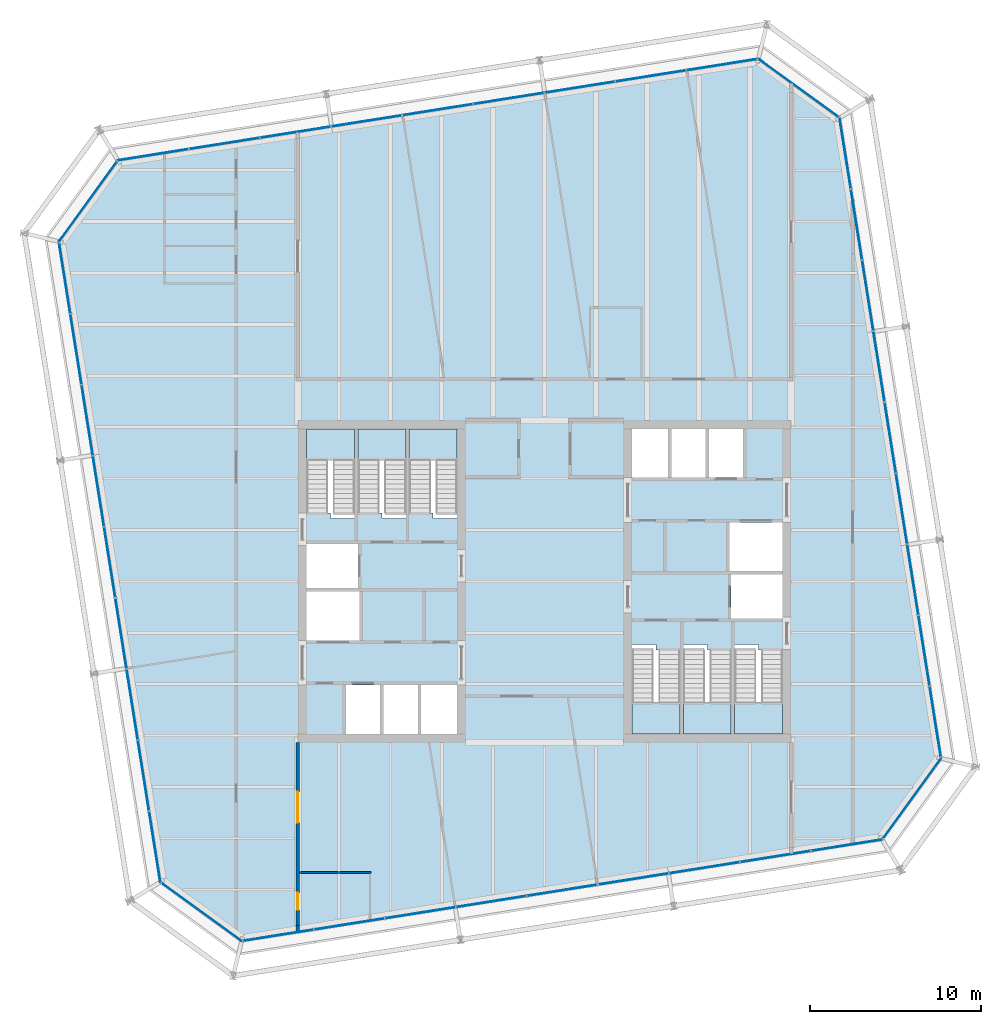
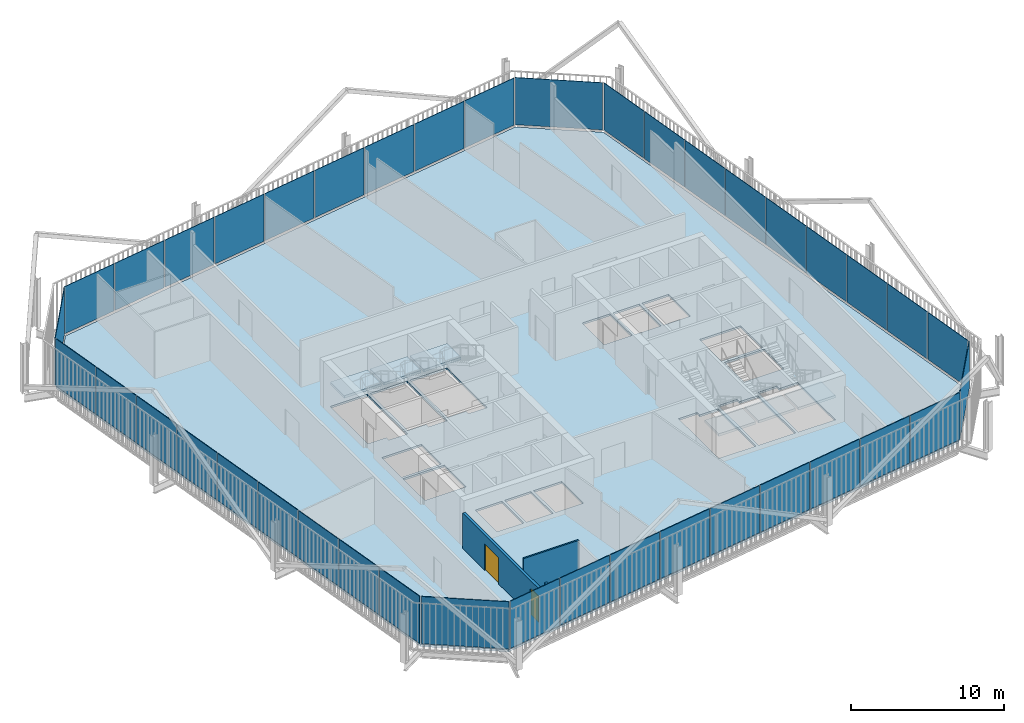
# One storey, part 16 of 21: 40 plates, 7 slabs, 3 walls, 2 doors, 2 openings, 14 elements without a shape of their own.
"""IFC4 building model written with IfcOpenShell, lengths in metres."""

import ifcopenshell
import ifcopenshell.guid

model = None  # the IFC model being written
_history = None  # IfcOwnerHistory: only IFC2X3 demands one
_inside = {}  # id of a spatial element -> (the spatial element, [elements in it])
_under = {}  # id of a project, library or spatial element -> (it, [spatial elements below it])
_declared = {}  # id of a project -> (the project, [libraries it declares])
_typed = {}  # id of a type object -> (the type object, [elements of that type])
_made_of = {}  # id of a material, layer set ... -> (it, [elements and type objects made of it])


def new_model(schema):
    """Start an empty IFC model of exactly this schema.

    Asked for "IFC4X3", IfcOpenShell would pick the latest addendum, in which some entities
    have other attributes; the version numbers below select the first issue.
    IFC2X3 requires an IfcOwnerHistory on every rooted entity: one is made here for all.
    """
    global model, _history
    if schema == "IFC4X3":
        model = ifcopenshell.file(schema_version=(4, 3, 0, 0))
    else:
        model = ifcopenshell.file(schema=schema)
    _inside.clear()
    _under.clear()
    _declared.clear()
    _typed.clear()
    _made_of.clear()
    _history = None
    if model.schema == "IFC2X3":
        org = make("IfcOrganization", Name="unknown")
        user = make(
            "IfcPersonAndOrganization",
            ThePerson=make("IfcPerson", FamilyName="unknown"),
            TheOrganization=org,
        )
        app = make(
            "IfcApplication",
            ApplicationDeveloper=org,
            Version="unknown",
            ApplicationFullName="unknown",
            ApplicationIdentifier="unknown",
        )
        _history = make(
            "IfcOwnerHistory",
            OwningUser=user,
            OwningApplication=app,
            ChangeAction="ADDED",
            CreationDate=0,
        )
    return model


def make(cls, **values):
    """One entity of the class cls with the attributes given. An attribute that is None is left unset."""
    return model.create_entity(
        cls, **{name: value for name, value in values.items() if value is not None}
    )


def rooted(cls, **values):
    """An entity with a GlobalId (a new one), such as an element, a storey or a relation."""
    return make(cls, GlobalId=ifcopenshell.guid.new(), OwnerHistory=_history, **values)


def si_unit(unit_type, name, prefix=None):
    """IfcSIUnit, for example si_unit("LENGTHUNIT", "METRE", prefix="MILLI")."""
    return make("IfcSIUnit", UnitType=unit_type, Prefix=prefix, Name=name)


def assignment(units):
    """IfcUnitAssignment: the units of a project."""
    return None if units is None else make("IfcUnitAssignment", Units=units)


def point(xyz):
    """IfcCartesianPoint."""
    return None if xyz is None else make("IfcCartesianPoint", Coordinates=xyz)


def direction(xyz):
    """IfcDirection."""
    return None if xyz is None else make("IfcDirection", DirectionRatios=xyz)


def frame(location, z_axis=None, x_axis=None):
    """IfcAxis2Placement3D, a coordinate frame: its origin and axes. An axis left out is left unset."""
    return make(
        "IfcAxis2Placement3D",
        Location=point(location),
        Axis=direction(z_axis),
        RefDirection=direction(x_axis),
    )


def frame_2d(location, x_axis=None):
    """IfcAxis2Placement2D, a coordinate frame in the plane: its origin and x axis."""
    return make(
        "IfcAxis2Placement2D", Location=point(location), RefDirection=direction(x_axis)
    )


def origin():
    """The frame at (0, 0, 0) with its axes left unset."""
    return frame((0.0, 0.0, 0.0))


def place(relative_to, where):
    """IfcLocalPlacement: puts the frame where relative to a parent placement (None: the world)."""
    return make(
        "IfcLocalPlacement", PlacementRelTo=relative_to, RelativePlacement=where
    )


def context(
    kind, dimensions, precision=None, world=None, true_north=None, identifier=None
):
    """IfcGeometricRepresentationContext, for example the 3D "Model" context."""
    return make(
        "IfcGeometricRepresentationContext",
        ContextIdentifier=identifier,
        ContextType=kind,
        CoordinateSpaceDimension=dimensions,
        Precision=precision,
        WorldCoordinateSystem=world,
        TrueNorth=true_north,
    )


def subcontext(parent, identifier, kind, view, scale=None):
    """IfcGeometricRepresentationSubContext, for example "Body" below "Model"."""
    return make(
        "IfcGeometricRepresentationSubContext",
        ContextIdentifier=identifier,
        ContextType=kind,
        ParentContext=parent,
        TargetScale=scale,
        TargetView=view,
    )


def project(units=None, contexts=None):
    """IfcProject with its units and contexts."""
    return rooted(
        "IfcProject",
        Name="project",
        RepresentationContexts=contexts,
        UnitsInContext=assignment(units),
    )


def spatial(cls, under=None, at=None, **own):
    """A site, building, storey or space (cls), placed at a placement, below another one or the project."""
    s = rooted(cls, ObjectPlacement=at, **own)
    if under is not None:
        _under.setdefault(under.id(), (under, []))[1].append(s)
    return s


def polyline(points):
    """IfcPolyline through the points."""
    return make("IfcPolyline", Points=[point(p) for p in points])


def profile(cls, at=None, kind="AREA", **sizes):
    """A parametric profile (cls). Its sizes go by their IFC names, for example OverallWidth=200.0."""
    return make(cls, ProfileType=kind, Position=at, **sizes)


def rectangle(**sizes):
    """IfcRectangleProfileDef."""
    return profile("IfcRectangleProfileDef", **sizes)


def outline(outer, holes=None, kind="AREA"):
    """IfcArbitraryClosedProfileDef: a profile drawn as a closed curve; with holes, ...WithVoids."""
    if holes is None:
        return make("IfcArbitraryClosedProfileDef", ProfileType=kind, OuterCurve=outer)
    return make(
        "IfcArbitraryProfileDefWithVoids",
        ProfileType=kind,
        OuterCurve=outer,
        InnerCurves=holes,
    )


def extrude(swept, where, along, depth):
    """IfcExtrudedAreaSolid: the profile swept, set in the frame where, extruded along a direction by depth."""
    return make(
        "IfcExtrudedAreaSolid",
        SweptArea=swept,
        Position=where,
        ExtrudedDirection=direction(along),
        Depth=depth,
    )


def shape(context_of_items, identifier, shape_type, items):
    """IfcShapeRepresentation: the items that make up one representation, for example the "Body"."""
    return make(
        "IfcShapeRepresentation",
        ContextOfItems=context_of_items,
        RepresentationIdentifier=identifier,
        RepresentationType=shape_type,
        Items=items,
    )


def material(Name=None, Category=None):
    """IfcMaterial."""
    return make("IfcMaterial", Name=Name, Category=Category)


def layer(
    of_material, thickness, ventilated=None, Name=None, Category=None, Priority=None
):
    """IfcMaterialLayer: one layer of a wall or slab, of a material (None: an air gap)."""
    return make(
        "IfcMaterialLayer",
        Material=of_material,
        LayerThickness=thickness,
        IsVentilated=ventilated,
        Name=Name,
        Category=Category,
        Priority=Priority,
    )


def layer_set(layers, Name=None):
    """IfcMaterialLayerSet."""
    return make("IfcMaterialLayerSet", MaterialLayers=layers, LayerSetName=Name)


def made_of(thing, what):
    """Note that an element or type object is made of a material, layer set ...; save() writes the relation."""
    if what is not None:
        _made_of.setdefault(what.id(), (what, []))[1].append(thing)
    return thing


def type_object(cls, material=None, **own):
    """A type object (cls), such as IfcWallType, which elements share."""
    return made_of(rooted(cls, **own), material)


def element(
    cls,
    number,
    at=None,
    inside=None,
    cuts=None,
    type_object=None,
    material=None,
    context=None,
    identifier="Body",
    shape_type=None,
    held_by="IfcProductDefinitionShape",
    body=None,
    shapes=None,
    **own,
):
    """One element of the class cls, such as IfcWall. Its Tag is "e" and its number.

    at: its placement. inside: the storey or other place that contains it. cuts: it is an
    opening in that element (IfcRelVoidsElement). A single representation is given by context,
    identifier, shape_type and body (its items); several are given by shapes. held_by: the class
    of the entity that holds the representations. save() writes the other relations.
    """
    e = rooted(cls, Tag="e%d" % number, ObjectPlacement=at, **own)
    if body is not None:
        shapes = [shape(context, identifier, shape_type, body)]
    if shapes is not None:
        e.Representation = make(held_by, Representations=shapes)
    if inside is not None:
        _inside.setdefault(inside.id(), (inside, []))[1].append(e)
    if cuts is not None:
        rooted(
            "IfcRelVoidsElement", RelatingBuildingElement=cuts, RelatedOpeningElement=e
        )
    if type_object is not None:
        _typed.setdefault(type_object.id(), (type_object, []))[1].append(e)
    return made_of(e, material)


def fill(opening, filler):
    """IfcRelFillsElement: the door or window that sits in an opening."""
    return rooted(
        "IfcRelFillsElement",
        RelatingOpeningElement=opening,
        RelatedBuildingElement=filler,
    )


def aggregate(whole, parts):
    """IfcRelAggregates: a whole, such as a stair, and the parts it consists of."""
    return rooted("IfcRelAggregates", RelatingObject=whole, RelatedObjects=parts)


def save(model, path):
    """Write the relations noted so far, then the file.

    IfcRelAggregates (storeys below a building ...), IfcRelContainedInSpatialStructure (elements
    in a storey), IfcRelDefinesByType, IfcRelAssociatesMaterial and IfcRelDeclares: one each for
    every whole, place, type object, material and project.
    """
    for whole, parts in _under.values():
        aggregate(whole, parts)
    for where, things in _inside.values():
        rooted(
            "IfcRelContainedInSpatialStructure",
            RelatedElements=things,
            RelatingStructure=where,
        )
    for kind, things in _typed.values():
        rooted("IfcRelDefinesByType", RelatedObjects=things, RelatingType=kind)
    for what, things in _made_of.values():
        rooted("IfcRelAssociatesMaterial", RelatedObjects=things, RelatingMaterial=what)
    for by, libraries in _declared.values():
        rooted("IfcRelDeclares", RelatingContext=by, RelatedDefinitions=libraries)
    model.write(path)


model = new_model("IFC4")

# Units and contexts
model_context = context("Model", 3, precision=1e-05, world=origin(), true_north=direction((0.0, 1.0)))
body_context = subcontext(model_context, "Body", "Model", "MODEL_VIEW")
ifc_project = project(units=[si_unit("LENGTHUNIT", "METRE"), si_unit("AREAUNIT", "SQUARE_METRE"), si_unit("VOLUMEUNIT", "CUBIC_METRE"), si_unit("PLANEANGLEUNIT", "RADIAN"), si_unit("MASSUNIT", "GRAM", prefix="KILO")], contexts=[model_context])

# Site, building, storey
site_placement = place(None, origin())
site = spatial("IfcSite", under=ifc_project, at=site_placement, CompositionType="ELEMENT")
building_placement = place(site_placement, origin())
building = spatial("IfcBuilding", under=site, at=building_placement, Name="Millrace Tower", CompositionType="ELEMENT")
storey_placement = place(building_placement, frame((0.0, 0.0, 247.39990234375)))
storey = spatial("IfcBuildingStorey", under=building, at=storey_placement, Name="L56", CompositionType="ELEMENT", Elevation=247.39990234375)

# Curtain wall, plate
ifc_material_1 = material(Name="Aluminium and glass", Category="aluminium")
ifc_layer_1 = layer(ifc_material_1, 0.14990234375)
ifc_layer_set_1 = layer_set([ifc_layer_1], Name="Aluminium and glass")
curtain_wall_type = type_object("IfcCurtainWallType", Name="CW-1 office vision curtain wall", PredefinedType="NOTDEFINED", material=ifc_layer_set_1)
placement_1 = place(storey_placement, origin())
curtain_wall_1 = element("IfcCurtainWall", 1, at=placement_1, inside=storey, type_object=curtain_wall_type, Name="Curtain wall D-F01 L56", PredefinedType="NOTDEFINED")
ifc_material_2 = material(Name="Glass", Category="glass")
ifc_layer_2 = layer(ifc_material_2, 0.0439453125)
ifc_layer_set_2 = layer_set([ifc_layer_2], Name="Glass")
plate_type = type_object("IfcPlateType", Name="CW-1 office vision curtain wall triple-glazed vision panel", PredefinedType="CURTAIN_PANEL", material=ifc_layer_set_2)
placement_2 = place(storey_placement, frame((0.0, 0.0, 0.14013671875)))
plate_1 = element("IfcPlate", 2, at=placement_2, type_object=plate_type, Name="CW1 panel D-F01.1", PredefinedType="CURTAIN_PANEL", context=body_context, shape_type="SweptSolid", body=[
    extrude(outline(polyline([(-22.36474609375, -17.632080078125), (-17.69384765625, -21.025634765625), (-17.6826171875, -20.979248046875), (-22.3388671875, -17.596435546875), (-22.36474609375, -17.632080078125)])), origin(), (0.0, 0.0, 1.0), 3.760009765625),
])
aggregate(curtain_wall_1, [plate_1])

# Curtain wall, plates
curtain_wall_2 = element("IfcCurtainWall", 3, at=placement_1, inside=storey, type_object=curtain_wall_type, Name="Curtain wall D-F02 L56", PredefinedType="NOTDEFINED")
plate_2 = element("IfcPlate", 4, at=placement_2, type_object=plate_type, Name="CW1 panel D-F02.1", PredefinedType="CURTAIN_PANEL", context=body_context, shape_type="SweptSolid", body=[
    extrude(outline(polyline([(-17.58984375, -21.009033203125), (-13.505859375, -20.3623046875), (-13.5126953125, -20.31884765625), (-17.596923828125, -20.965576171875), (-17.58984375, -21.009033203125)])), origin(), (0.0, 0.0, 1.0), 3.760009765625),
])
plate_3 = element("IfcPlate", 5, at=placement_2, type_object=plate_type, Name="CW1 panel D-F02.2", PredefinedType="CURTAIN_PANEL", context=body_context, shape_type="SweptSolid", body=[
    extrude(outline(polyline([(-13.441650390625, -20.35205078125), (-9.357666015625, -19.705078125), (-9.364501953125, -19.66162109375), (-13.448486328125, -20.30859375), (-13.441650390625, -20.35205078125)])), origin(), (0.0, 0.0, 1.0), 3.760009765625),
])
plate_4 = element("IfcPlate", 6, at=placement_2, type_object=plate_type, Name="CW1 panel D-F02.3", PredefinedType="CURTAIN_PANEL", context=body_context, shape_type="SweptSolid", body=[
    extrude(outline(polyline([(-9.29345703125, -19.695068359375), (-5.209228515625, -19.048095703125), (-5.216064453125, -19.004638671875), (-9.30029296875, -19.651611328125), (-9.29345703125, -19.695068359375)])), origin(), (0.0, 0.0, 1.0), 3.760009765625),
])
plate_5 = element("IfcPlate", 7, at=placement_2, type_object=plate_type, Name="CW1 panel D-F02.4", PredefinedType="CURTAIN_PANEL", context=body_context, shape_type="SweptSolid", body=[
    extrude(outline(polyline([(-5.14501953125, -19.0380859375), (-1.06103515625, -18.39111328125), (-1.06787109375, -18.34765625), (-5.15185546875, -18.99462890625), (-5.14501953125, -19.0380859375)])), origin(), (0.0, 0.0, 1.0), 3.760009765625),
])
plate_6 = element("IfcPlate", 8, at=placement_2, type_object=plate_type, Name="CW1 panel D-F02.5", PredefinedType="CURTAIN_PANEL", context=body_context, shape_type="SweptSolid", body=[
    extrude(outline(polyline([(-0.996826171875, -18.380859375), (3.08740234375, -17.734130859375), (3.080322265625, -17.690673828125), (-1.003662109375, -18.33740234375), (-0.996826171875, -18.380859375)])), origin(), (0.0, 0.0, 1.0), 3.760009765625),
])
plate_7 = element("IfcPlate", 9, at=placement_2, type_object=plate_type, Name="CW1 panel D-F02.6", PredefinedType="CURTAIN_PANEL", context=body_context, shape_type="SweptSolid", body=[
    extrude(outline(polyline([(3.151611328125, -17.723876953125), (7.235595703125, -17.0771484375), (7.228759765625, -17.03369140625), (3.14453125, -17.680419921875), (3.151611328125, -17.723876953125)])), origin(), (0.0, 0.0, 1.0), 3.760009765625),
])
plate_8 = element("IfcPlate", 10, at=placement_2, type_object=plate_type, Name="CW1 panel D-F02.7", PredefinedType="CURTAIN_PANEL", context=body_context, shape_type="SweptSolid", body=[
    extrude(outline(polyline([(7.2998046875, -17.06689453125), (11.3837890625, -16.420166015625), (11.376953125, -16.376708984375), (7.29296875, -17.0234375), (7.2998046875, -17.06689453125)])), origin(), (0.0, 0.0, 1.0), 3.760009765625),
])
plate_9 = element("IfcPlate", 11, at=placement_2, type_object=plate_type, Name="CW1 panel D-F02.8", PredefinedType="CURTAIN_PANEL", context=body_context, shape_type="SweptSolid", body=[
    extrude(outline(polyline([(11.447998046875, -16.409912109375), (15.5322265625, -15.762939453125), (15.525390625, -15.719482421875), (11.441162109375, -16.366455078125), (11.447998046875, -16.409912109375)])), origin(), (0.0, 0.0, 1.0), 3.760009765625),
])
plate_10 = element("IfcPlate", 12, at=placement_2, type_object=plate_type, Name="CW1 panel D-F02.9", PredefinedType="CURTAIN_PANEL", context=body_context, shape_type="SweptSolid", body=[
    extrude(outline(polyline([(15.596435546875, -15.7529296875), (19.72021484375, -15.099853515625), (19.6953125, -15.05908203125), (15.589599609375, -15.70947265625), (15.596435546875, -15.7529296875)])), origin(), (0.0, 0.0, 1.0), 3.760009765625),
])
aggregate(curtain_wall_2, [plate_2, plate_3, plate_4, plate_5, plate_6, plate_7, plate_8, plate_9, plate_10])

# Curtain wall, plate
curtain_wall_3 = element("IfcCurtainWall", 13, at=placement_1, inside=storey, type_object=curtain_wall_type, Name="Curtain wall D-F03 L56", PredefinedType="NOTDEFINED")
plate_11 = element("IfcPlate", 14, at=placement_2, type_object=plate_type, Name="CW1 panel D-F03.1", PredefinedType="CURTAIN_PANEL", context=body_context, shape_type="SweptSolid", body=[
    extrude(outline(polyline([(19.781982421875, -15.0146484375), (23.175537109375, -10.34375), (23.129150390625, -10.332763671875), (19.746337890625, -14.98876953125), (19.781982421875, -15.0146484375)])), origin(), (0.0, 0.0, 1.0), 3.760009765625),
])
aggregate(curtain_wall_3, [plate_11])

# Curtain wall, plates
curtain_wall_4 = element("IfcCurtainWall", 15, at=placement_1, inside=storey, type_object=curtain_wall_type, Name="Curtain wall D-F04 L56", PredefinedType="NOTDEFINED")
plate_12 = element("IfcPlate", 16, at=placement_2, type_object=plate_type, Name="CW1 panel D-F04.1", PredefinedType="CURTAIN_PANEL", context=body_context, shape_type="SweptSolid", body=[
    extrude(outline(polyline([(23.1591796875, -10.239990234375), (22.51220703125, -6.15576171875), (22.46875, -6.162841796875), (23.11572265625, -10.246826171875), (23.1591796875, -10.239990234375)])), origin(), (0.0, 0.0, 1.0), 3.760009765625),
])
plate_13 = element("IfcPlate", 17, at=placement_2, type_object=plate_type, Name="CW1 panel D-F04.2", PredefinedType="CURTAIN_PANEL", context=body_context, shape_type="SweptSolid", body=[
    extrude(outline(polyline([(22.501953125, -6.091552734375), (21.855224609375, -2.007568359375), (21.811767578125, -2.014404296875), (22.45849609375, -6.0986328125), (22.501953125, -6.091552734375)])), origin(), (0.0, 0.0, 1.0), 3.760009765625),
])
plate_14 = element("IfcPlate", 18, at=placement_2, type_object=plate_type, Name="CW1 panel D-F04.3", PredefinedType="CURTAIN_PANEL", context=body_context, shape_type="SweptSolid", body=[
    extrude(outline(polyline([(21.844970703125, -1.943359375), (21.1982421875, 2.140625), (21.15478515625, 2.1337890625), (21.801513671875, -1.9501953125), (21.844970703125, -1.943359375)])), origin(), (0.0, 0.0, 1.0), 3.760009765625),
])
plate_15 = element("IfcPlate", 19, at=placement_2, type_object=plate_type, Name="CW1 panel D-F04.4", PredefinedType="CURTAIN_PANEL", context=body_context, shape_type="SweptSolid", body=[
    extrude(outline(polyline([(21.18798828125, 2.204833984375), (20.541259765625, 6.2890625), (20.497802734375, 6.2822265625), (21.14453125, 2.197998046875), (21.18798828125, 2.204833984375)])), origin(), (0.0, 0.0, 1.0), 3.760009765625),
])
plate_16 = element("IfcPlate", 20, at=placement_2, type_object=plate_type, Name="CW1 panel D-F04.5", PredefinedType="CURTAIN_PANEL", context=body_context, shape_type="SweptSolid", body=[
    extrude(outline(polyline([(20.531005859375, 6.353271484375), (19.884033203125, 10.437255859375), (19.840576171875, 10.430419921875), (20.487548828125, 6.346435546875), (20.531005859375, 6.353271484375)])), origin(), (0.0, 0.0, 1.0), 3.760009765625),
])
plate_17 = element("IfcPlate", 21, at=placement_2, type_object=plate_type, Name="CW1 panel D-F04.6", PredefinedType="CURTAIN_PANEL", context=body_context, shape_type="SweptSolid", body=[
    extrude(outline(polyline([(19.8740234375, 10.50146484375), (19.22705078125, 14.585693359375), (19.18359375, 14.57861328125), (19.83056640625, 10.49462890625), (19.8740234375, 10.50146484375)])), origin(), (0.0, 0.0, 1.0), 3.760009765625),
])
plate_18 = element("IfcPlate", 22, at=placement_2, type_object=plate_type, Name="CW1 panel D-F04.7", PredefinedType="CURTAIN_PANEL", context=body_context, shape_type="SweptSolid", body=[
    extrude(outline(polyline([(19.217041015625, 14.64990234375), (18.570068359375, 18.73388671875), (18.526611328125, 18.72705078125), (19.173583984375, 14.642822265625), (19.217041015625, 14.64990234375)])), origin(), (0.0, 0.0, 1.0), 3.760009765625),
])
plate_19 = element("IfcPlate", 23, at=placement_2, type_object=plate_type, Name="CW1 panel D-F04.8", PredefinedType="CURTAIN_PANEL", context=body_context, shape_type="SweptSolid", body=[
    extrude(outline(polyline([(18.559814453125, 18.798095703125), (17.9130859375, 22.882080078125), (17.86962890625, 22.875244140625), (18.516357421875, 18.791259765625), (18.559814453125, 18.798095703125)])), origin(), (0.0, 0.0, 1.0), 3.760009765625),
])
plate_20 = element("IfcPlate", 24, at=placement_2, type_object=plate_type, Name="CW1 panel D-F04.9", PredefinedType="CURTAIN_PANEL", context=body_context, shape_type="SweptSolid", body=[
    extrude(outline(polyline([(17.90283203125, 22.9462890625), (17.249755859375, 27.070068359375), (17.209228515625, 27.045166015625), (17.859375, 22.939453125), (17.90283203125, 22.9462890625)])), origin(), (0.0, 0.0, 1.0), 3.760009765625),
])
aggregate(curtain_wall_4, [plate_12, plate_13, plate_14, plate_15, plate_16, plate_17, plate_18, plate_19, plate_20])

# Curtain wall, plate
curtain_wall_5 = element("IfcCurtainWall", 25, at=placement_1, inside=storey, type_object=curtain_wall_type, Name="Curtain wall D-F05 L56", PredefinedType="NOTDEFINED")
plate_21 = element("IfcPlate", 26, at=placement_2, type_object=plate_type, Name="CW1 panel D-F05.1", PredefinedType="CURTAIN_PANEL", context=body_context, shape_type="SweptSolid", body=[
    extrude(outline(polyline([(17.16455078125, 27.132080078125), (12.493896484375, 30.525634765625), (12.482666015625, 30.479248046875), (17.138671875, 27.096435546875), (17.16455078125, 27.132080078125)])), origin(), (0.0, 0.0, 1.0), 3.760009765625),
])
aggregate(curtain_wall_5, [plate_21])

# Curtain wall, plates
curtain_wall_6 = element("IfcCurtainWall", 27, at=placement_1, inside=storey, type_object=curtain_wall_type, Name="Curtain wall D-F06 L56", PredefinedType="NOTDEFINED")
plate_22 = element("IfcPlate", 28, at=placement_2, type_object=plate_type, Name="CW1 panel D-F06.1", PredefinedType="CURTAIN_PANEL", context=body_context, shape_type="SweptSolid", body=[
    extrude(outline(polyline([(12.389892578125, 30.509033203125), (8.305908203125, 29.8623046875), (8.312744140625, 29.81884765625), (12.396728515625, 30.465576171875), (12.389892578125, 30.509033203125)])), origin(), (0.0, 0.0, 1.0), 3.760009765625),
])
plate_23 = element("IfcPlate", 29, at=placement_2, type_object=plate_type, Name="CW1 panel D-F06.2", PredefinedType="CURTAIN_PANEL", context=body_context, shape_type="SweptSolid", body=[
    extrude(outline(polyline([(8.24169921875, 29.85205078125), (4.157470703125, 29.205078125), (4.16455078125, 29.16162109375), (8.24853515625, 29.80859375), (8.24169921875, 29.85205078125)])), origin(), (0.0, 0.0, 1.0), 3.760009765625),
])
plate_24 = element("IfcPlate", 30, at=placement_2, type_object=plate_type, Name="CW1 panel D-F06.3", PredefinedType="CURTAIN_PANEL", context=body_context, shape_type="SweptSolid", body=[
    extrude(outline(polyline([(4.09326171875, 29.195068359375), (0.00927734375, 28.548095703125), (0.01611328125, 28.504638671875), (4.100341796875, 29.151611328125), (4.09326171875, 29.195068359375)])), origin(), (0.0, 0.0, 1.0), 3.760009765625),
])
plate_25 = element("IfcPlate", 31, at=placement_2, type_object=plate_type, Name="CW1 panel D-F06.4", PredefinedType="CURTAIN_PANEL", context=body_context, shape_type="SweptSolid", body=[
    extrude(outline(polyline([(-0.054931640625, 28.5380859375), (-4.138916015625, 27.89111328125), (-4.132080078125, 27.84765625), (-0.048095703125, 28.49462890625), (-0.054931640625, 28.5380859375)])), origin(), (0.0, 0.0, 1.0), 3.760009765625),
])
plate_26 = element("IfcPlate", 32, at=placement_2, type_object=plate_type, Name="CW1 panel D-F06.5", PredefinedType="CURTAIN_PANEL", context=body_context, shape_type="SweptSolid", body=[
    extrude(outline(polyline([(-4.203125, 27.880859375), (-8.287353515625, 27.234130859375), (-8.280517578125, 27.190673828125), (-4.1962890625, 27.83740234375), (-4.203125, 27.880859375)])), origin(), (0.0, 0.0, 1.0), 3.760009765625),
])
plate_27 = element("IfcPlate", 33, at=placement_2, type_object=plate_type, Name="CW1 panel D-F06.6", PredefinedType="CURTAIN_PANEL", context=body_context, shape_type="SweptSolid", body=[
    extrude(outline(polyline([(-8.3515625, 27.223876953125), (-12.435546875, 26.5771484375), (-12.4287109375, 26.53369140625), (-8.3447265625, 27.180419921875), (-8.3515625, 27.223876953125)])), origin(), (0.0, 0.0, 1.0), 3.760009765625),
])
plate_28 = element("IfcPlate", 34, at=placement_2, type_object=plate_type, Name="CW1 panel D-F06.7", PredefinedType="CURTAIN_PANEL", context=body_context, shape_type="SweptSolid", body=[
    extrude(outline(polyline([(-12.499755859375, 26.56689453125), (-16.583984375, 25.920166015625), (-16.576904296875, 25.876708984375), (-12.492919921875, 26.5234375), (-12.499755859375, 26.56689453125)])), origin(), (0.0, 0.0, 1.0), 3.760009765625),
])
plate_29 = element("IfcPlate", 35, at=placement_2, type_object=plate_type, Name="CW1 panel D-F06.8", PredefinedType="CURTAIN_PANEL", context=body_context, shape_type="SweptSolid", body=[
    extrude(outline(polyline([(-16.648193359375, 25.909912109375), (-20.732177734375, 25.262939453125), (-20.725341796875, 25.219482421875), (-16.64111328125, 25.866455078125), (-16.648193359375, 25.909912109375)])), origin(), (0.0, 0.0, 1.0), 3.760009765625),
])
plate_30 = element("IfcPlate", 36, at=placement_2, type_object=plate_type, Name="CW1 panel D-F06.9", PredefinedType="CURTAIN_PANEL", context=body_context, shape_type="SweptSolid", body=[
    extrude(outline(polyline([(-20.79638671875, 25.2529296875), (-24.920166015625, 24.599853515625), (-24.895263671875, 24.55908203125), (-20.78955078125, 25.20947265625), (-20.79638671875, 25.2529296875)])), origin(), (0.0, 0.0, 1.0), 3.760009765625),
])
aggregate(curtain_wall_6, [plate_22, plate_23, plate_24, plate_25, plate_26, plate_27, plate_28, plate_29, plate_30])

# Curtain wall, plate
curtain_wall_7 = element("IfcCurtainWall", 37, at=placement_1, inside=storey, type_object=curtain_wall_type, Name="Curtain wall D-F07 L56", PredefinedType="NOTDEFINED")
plate_31 = element("IfcPlate", 38, at=placement_2, type_object=plate_type, Name="CW1 panel D-F07.1", PredefinedType="CURTAIN_PANEL", context=body_context, shape_type="SweptSolid", body=[
    extrude(outline(polyline([(-24.98193359375, 24.5146484375), (-28.37548828125, 19.84375), (-28.329345703125, 19.832763671875), (-24.9462890625, 24.48876953125), (-24.98193359375, 24.5146484375)])), origin(), (0.0, 0.0, 1.0), 3.760009765625),
])
aggregate(curtain_wall_7, [plate_31])

# Curtain wall, plates
curtain_wall_8 = element("IfcCurtainWall", 39, at=placement_1, inside=storey, type_object=curtain_wall_type, Name="Curtain wall D-F08 L56", PredefinedType="NOTDEFINED")
plate_32 = element("IfcPlate", 40, at=placement_2, type_object=plate_type, Name="CW1 panel D-F08.1", PredefinedType="CURTAIN_PANEL", context=body_context, shape_type="SweptSolid", body=[
    extrude(outline(polyline([(-28.359130859375, 19.739990234375), (-27.712158203125, 15.65576171875), (-27.668701171875, 15.662841796875), (-28.315673828125, 19.746826171875), (-28.359130859375, 19.739990234375)])), origin(), (0.0, 0.0, 1.0), 3.760009765625),
])
plate_33 = element("IfcPlate", 41, at=placement_2, type_object=plate_type, Name="CW1 panel D-F08.2", PredefinedType="CURTAIN_PANEL", context=body_context, shape_type="SweptSolid", body=[
    extrude(outline(polyline([(-27.7021484375, 15.591552734375), (-27.05517578125, 11.507568359375), (-27.01171875, 11.514404296875), (-27.65869140625, 15.5986328125), (-27.7021484375, 15.591552734375)])), origin(), (0.0, 0.0, 1.0), 3.760009765625),
])
plate_34 = element("IfcPlate", 42, at=placement_2, type_object=plate_type, Name="CW1 panel D-F08.3", PredefinedType="CURTAIN_PANEL", context=body_context, shape_type="SweptSolid", body=[
    extrude(outline(polyline([(-27.044921875, 11.443359375), (-26.398193359375, 7.359375), (-26.354736328125, 7.3662109375), (-27.00146484375, 11.4501953125), (-27.044921875, 11.443359375)])), origin(), (0.0, 0.0, 1.0), 3.760009765625),
])
plate_35 = element("IfcPlate", 43, at=placement_2, type_object=plate_type, Name="CW1 panel D-F08.4", PredefinedType="CURTAIN_PANEL", context=body_context, shape_type="SweptSolid", body=[
    extrude(outline(polyline([(-26.387939453125, 7.295166015625), (-25.7412109375, 3.2109375), (-25.69775390625, 3.2177734375), (-26.344482421875, 7.302001953125), (-26.387939453125, 7.295166015625)])), origin(), (0.0, 0.0, 1.0), 3.760009765625),
])
plate_36 = element("IfcPlate", 44, at=placement_2, type_object=plate_type, Name="CW1 panel D-F08.5", PredefinedType="CURTAIN_PANEL", context=body_context, shape_type="SweptSolid", body=[
    extrude(outline(polyline([(-25.73095703125, 3.146728515625), (-25.084228515625, -0.937255859375), (-25.040771484375, -0.930419921875), (-25.6875, 3.153564453125), (-25.73095703125, 3.146728515625)])), origin(), (0.0, 0.0, 1.0), 3.760009765625),
])
plate_37 = element("IfcPlate", 45, at=placement_2, type_object=plate_type, Name="CW1 panel D-F08.6", PredefinedType="CURTAIN_PANEL", context=body_context, shape_type="SweptSolid", body=[
    extrude(outline(polyline([(-25.073974609375, -1.00146484375), (-24.427001953125, -5.085693359375), (-24.383544921875, -5.07861328125), (-25.030517578125, -0.99462890625), (-25.073974609375, -1.00146484375)])), origin(), (0.0, 0.0, 1.0), 3.760009765625),
])
plate_38 = element("IfcPlate", 46, at=placement_2, type_object=plate_type, Name="CW1 panel D-F08.7", PredefinedType="CURTAIN_PANEL", context=body_context, shape_type="SweptSolid", body=[
    extrude(outline(polyline([(-24.4169921875, -5.14990234375), (-23.77001953125, -9.23388671875), (-23.7265625, -9.22705078125), (-24.37353515625, -5.142822265625), (-24.4169921875, -5.14990234375)])), origin(), (0.0, 0.0, 1.0), 3.760009765625),
])
plate_39 = element("IfcPlate", 47, at=placement_2, type_object=plate_type, Name="CW1 panel D-F08.8", PredefinedType="CURTAIN_PANEL", context=body_context, shape_type="SweptSolid", body=[
    extrude(outline(polyline([(-23.760009765625, -9.298095703125), (-23.113037109375, -13.382080078125), (-23.069580078125, -13.375244140625), (-23.716552734375, -9.291259765625), (-23.760009765625, -9.298095703125)])), origin(), (0.0, 0.0, 1.0), 3.760009765625),
])
plate_40 = element("IfcPlate", 48, at=placement_2, type_object=plate_type, Name="CW1 panel D-F08.9", PredefinedType="CURTAIN_PANEL", context=body_context, shape_type="SweptSolid", body=[
    extrude(outline(polyline([(-23.102783203125, -13.4462890625), (-22.44970703125, -17.570068359375), (-22.4091796875, -17.545166015625), (-23.059326171875, -13.439453125), (-23.102783203125, -13.4462890625)])), origin(), (0.0, 0.0, 1.0), 3.760009765625),
])
aggregate(curtain_wall_8, [plate_32, plate_33, plate_34, plate_35, plate_36, plate_37, plate_38, plate_39, plate_40])

# Slab
ifc_material_3 = material(Name="Concrete C35 on steel deck", Category="concrete")
ifc_layer_3 = layer(ifc_material_3, 0.159912109375)
ifc_layer_set_3 = layer_set([ifc_layer_3], Name="Concrete C35 on steel deck")
slab_type_1 = type_object("IfcSlabType", Name="Composite floor slab 160 mm", PredefinedType="FLOOR", material=ifc_layer_set_3)
slab_1_placement = place(storey_placement, frame((0.0, 0.0, -0.159912109375)))
element("IfcSlab", 49, at=slab_1_placement, inside=storey, type_object=slab_type_1, Name="SL-D-L56-S1", PredefinedType="FLOOR", context=body_context, shape_type="SweptSolid", body=[
    extrude(outline(polyline([(-22.360107421875, -17.515380859375), (-17.66943359375, -20.92333984375), (19.665283203125, -15.01025390625), (23.073486328125, -10.3193359375), (17.16015625, 27.015380859375), (12.46923828125, 30.42333984375), (-24.865234375, 24.51025390625), (-28.2734375, 19.8193359375), (-22.360107421875, -17.515380859375)]), holes=[polyline([(-11.60009765625, -8.89990234375), (-9.60009765625, -8.89990234375), (-9.60009765625, -6.050048828125), (-11.60009765625, -6.050048828125), (-11.60009765625, -8.89990234375)]), polyline([(-9.39990234375, -8.89990234375), (-7.39990234375, -8.89990234375), (-7.39990234375, -6.050048828125), (-9.39990234375, -6.050048828125), (-9.39990234375, -8.89990234375)]), polyline([(-7.199951171875, -8.89990234375), (-5.10009765625, -8.89990234375), (-5.10009765625, -6.050048828125), (-7.199951171875, -6.050048828125), (-7.199951171875, -8.89990234375)]), polyline([(-13.89990234375, -3.449951171875), (-10.800048828125, -3.449951171875), (-10.800048828125, -0.60009765625), (-13.89990234375, -0.60009765625), (-13.89990234375, -3.449951171875)]), polyline([(-13.89990234375, -0.39990234375), (-10.89990234375, -0.39990234375), (-10.89990234375, 2.179931640625), (-13.89990234375, 2.179931640625), (-13.89990234375, -0.39990234375)]), polyline([(-11.10009765625, 8.89990234375), (-12.5, 8.89990234375), (-13.89990234375, 8.89990234375), (-13.89990234375, 4.0), (-12.5, 4.0), (-12.5, 3.679931640625), (-11.10009765625, 3.679931640625), (-11.10009765625, 8.89990234375)]), polyline([(-8.10009765625, 8.89990234375), (-9.5, 8.89990234375), (-10.89990234375, 8.89990234375), (-10.89990234375, 4.0), (-9.5, 4.0), (-9.5, 3.679931640625), (-8.10009765625, 3.679931640625), (-8.10009765625, 8.89990234375)]), polyline([(-5.10009765625, 8.89990234375), (-6.5, 8.89990234375), (-7.89990234375, 8.89990234375), (-7.89990234375, 4.0), (-6.5, 4.0), (-6.5, 3.679931640625), (-5.10009765625, 3.679931640625), (-5.10009765625, 8.89990234375)]), polyline([(9.60009765625, 6.050048828125), (11.60009765625, 6.050048828125), (11.60009765625, 8.89990234375), (9.60009765625, 8.89990234375), (9.60009765625, 6.050048828125)]), polyline([(7.39990234375, 6.050048828125), (9.39990234375, 6.050048828125), (9.39990234375, 8.89990234375), (7.39990234375, 8.89990234375), (7.39990234375, 6.050048828125)]), polyline([(5.10009765625, 6.050048828125), (7.199951171875, 6.050048828125), (7.199951171875, 8.89990234375), (5.10009765625, 8.89990234375), (5.10009765625, 6.050048828125)]), polyline([(10.800048828125, 0.60009765625), (13.89990234375, 0.60009765625), (13.89990234375, 3.449951171875), (10.800048828125, 3.449951171875), (10.800048828125, 0.60009765625)]), polyline([(10.89990234375, -2.179931640625), (13.89990234375, -2.179931640625), (13.89990234375, 0.39990234375), (10.89990234375, 0.39990234375), (10.89990234375, -2.179931640625)]), polyline([(13.89990234375, -4.0), (12.5, -4.0), (12.5, -3.679931640625), (11.10009765625, -3.679931640625), (11.10009765625, -8.89990234375), (12.5, -8.89990234375), (13.89990234375, -8.89990234375), (13.89990234375, -4.0)]), polyline([(10.89990234375, -4.0), (9.5, -4.0), (9.5, -3.679931640625), (8.10009765625, -3.679931640625), (8.10009765625, -8.89990234375), (9.5, -8.89990234375), (10.89990234375, -8.89990234375), (10.89990234375, -4.0)]), polyline([(7.89990234375, -4.0), (6.5, -4.0), (6.5, -3.679931640625), (5.10009765625, -3.679931640625), (5.10009765625, -8.89990234375), (6.5, -8.89990234375), (7.89990234375, -8.89990234375), (7.89990234375, -4.0)])]), origin(), (0.0, 0.0, 1.0), 0.159912109375),
])

# Stair, slab
ifc_material_4 = material(Name="Concrete C35", Category="concrete")
stair_type = type_object("IfcStairType", Name="Exit stair", PredefinedType="HALF_TURN_STAIR", material=ifc_material_4)
stair_1 = element("IfcStair", 50, at=placement_1, inside=storey, type_object=stair_type, Name="Stair 1 W L56", PredefinedType="HALF_TURN_STAIR")
ifc_material_5 = material(Name="Concrete C40", Category="concrete")
ifc_layer_4 = layer(ifc_material_5, 0.199951171875)
ifc_layer_set_4 = layer_set([ifc_layer_4], Name="Concrete C40")
slab_type_2 = type_object("IfcSlabType", Name="Stair landing", PredefinedType="LANDING", material=ifc_layer_set_4)
placement_3 = place(storey_placement, frame((0.0, 0.0, 1.75)))
slab_2 = element("IfcSlab", 51, at=placement_3, type_object=slab_type_2, Name="ST12 landing 1", PredefinedType="LANDING", context=body_context, shape_type="SweptSolid", body=[
    extrude(outline(polyline([(-13.89990234375, 7.080078125), (-11.10009765625, 7.080078125), (-11.10009765625, 8.89990234375), (-13.89990234375, 8.89990234375), (-13.89990234375, 7.080078125)])), origin(), (0.0, 0.0, 1.0), 0.2001953125),
])
aggregate(stair_1, [slab_2])

stair_2 = element("IfcStair", 52, at=placement_1, inside=storey, type_object=stair_type, Name="Stair 2 W L56", PredefinedType="HALF_TURN_STAIR")
slab_3 = element("IfcSlab", 53, at=placement_3, type_object=slab_type_2, Name="ST12 landing 1", PredefinedType="LANDING", context=body_context, shape_type="SweptSolid", body=[
    extrude(outline(polyline([(-10.89990234375, 7.080078125), (-8.10009765625, 7.080078125), (-8.10009765625, 8.89990234375), (-10.89990234375, 8.89990234375), (-10.89990234375, 7.080078125)])), origin(), (0.0, 0.0, 1.0), 0.2001953125),
])
aggregate(stair_2, [slab_3])

stair_3 = element("IfcStair", 54, at=placement_1, inside=storey, type_object=stair_type, Name="Stair 3 W L56", PredefinedType="HALF_TURN_STAIR")
slab_4 = element("IfcSlab", 55, at=placement_3, type_object=slab_type_2, Name="ST12 landing 1", PredefinedType="LANDING", context=body_context, shape_type="SweptSolid", body=[
    extrude(outline(polyline([(-7.89990234375, 7.080078125), (-5.10009765625, 7.080078125), (-5.10009765625, 8.89990234375), (-7.89990234375, 8.89990234375), (-7.89990234375, 7.080078125)])), origin(), (0.0, 0.0, 1.0), 0.2001953125),
])
aggregate(stair_3, [slab_4])

stair_4 = element("IfcStair", 56, at=placement_1, inside=storey, type_object=stair_type, Name="Stair 1 E L56", PredefinedType="HALF_TURN_STAIR")
slab_5 = element("IfcSlab", 57, at=placement_3, type_object=slab_type_2, Name="ST12 landing 1", PredefinedType="LANDING", context=body_context, shape_type="SweptSolid", body=[
    extrude(outline(polyline([(11.10009765625, -8.89990234375), (13.89990234375, -8.89990234375), (13.89990234375, -7.080078125), (11.10009765625, -7.080078125), (11.10009765625, -8.89990234375)])), origin(), (0.0, 0.0, 1.0), 0.2001953125),
])
aggregate(stair_4, [slab_5])

stair_5 = element("IfcStair", 58, at=placement_1, inside=storey, type_object=stair_type, Name="Stair 2 E L56", PredefinedType="HALF_TURN_STAIR")
slab_6 = element("IfcSlab", 59, at=placement_3, type_object=slab_type_2, Name="ST12 landing 1", PredefinedType="LANDING", context=body_context, shape_type="SweptSolid", body=[
    extrude(outline(polyline([(8.10009765625, -8.89990234375), (10.89990234375, -8.89990234375), (10.89990234375, -7.080078125), (8.10009765625, -7.080078125), (8.10009765625, -8.89990234375)])), origin(), (0.0, 0.0, 1.0), 0.2001953125),
])
aggregate(stair_5, [slab_6])

stair_6 = element("IfcStair", 60, at=placement_1, inside=storey, type_object=stair_type, Name="Stair 3 E L56", PredefinedType="HALF_TURN_STAIR")
slab_7 = element("IfcSlab", 61, at=placement_3, type_object=slab_type_2, Name="ST12 landing 1", PredefinedType="LANDING", context=body_context, shape_type="SweptSolid", body=[
    extrude(outline(polyline([(5.10009765625, -8.89990234375), (7.89990234375, -8.89990234375), (7.89990234375, -7.080078125), (5.10009765625, -7.080078125), (5.10009765625, -8.89990234375)])), origin(), (0.0, 0.0, 1.0), 0.2001953125),
])
aggregate(stair_6, [slab_7])

# Wall
ifc_material_6 = material(Name="Masonry partition, fire-rated", Category="masonry")
ifc_layer_5 = layer(ifc_material_6, 0.199951171875)
ifc_layer_set_5 = layer_set([ifc_layer_5], Name="Masonry partition, fire-rated")
wall_type_1 = type_object("IfcWallType", Name="Corridor wall 200", PredefinedType="PARTITIONING", material=ifc_layer_set_5)
wall_1_placement = place(storey_placement, frame((-14.39990234375, -20.43603515625, 0.0), z_axis=(0.0, 0.0, 1.0), x_axis=(0.0, 1.0, 0.0)))
element("IfcWall", 62, at=wall_1_placement, inside=storey, type_object=wall_type_1, Name="Corridor wall L56", PredefinedType="PARTITIONING", context=body_context, shape_type="SweptSolid", body=[
    extrude(rectangle(XDim=0.349609375, YDim=0.199951171875, at=frame_2d((0.1748046875, 0.0))), origin(), (0.0, 0.0, 1.0), 3.739990234375),
])

# Wall, openings, doors
wall_2_placement = place(storey_placement, frame((-14.39990234375, -20.08642578125, 0.0), z_axis=(0.0, 0.0, 1.0), x_axis=(0.0, 1.0, 0.0)))
wall_2 = element("IfcWall", 63, at=wall_2_placement, inside=storey, type_object=wall_type_1, Name="Corridor wall L56", PredefinedType="PARTITIONING", context=body_context, shape_type="SweptSolid", body=[
    extrude(rectangle(XDim=10.6865234375, YDim=0.199951171875, at=frame_2d((5.34326171875, 0.0))), origin(), (0.0, 0.0, 1.0), 2.81298828125),
])
opening_1_placement = place(wall_2_placement, frame((5.993896484375, 0.0, 0.0)))
opening_1 = element("IfcOpeningElement", 64, at=opening_1_placement, cuts=wall_2, Name="Opening 56-P011", PredefinedType="OPENING", context=body_context, shape_type="SweptSolid", body=[
    extrude(rectangle(XDim=1.800048828125, YDim=2.10009765625, at=frame_2d((0.89990234375, 1.050048828125))), frame((0.0, 0.10986328125, 0.0), z_axis=(0.0, -1.0, 0.0), x_axis=(1.0, 0.0, 0.0)), (0.0, 0.0, 1.0), 0.219970703125),
])
opening_2_placement = place(wall_2_placement, frame((0.9013671875, 0.0, 0.0)))
opening_2 = element("IfcOpeningElement", 65, at=opening_2_placement, cuts=wall_2, Name="Opening 56-P012", PredefinedType="OPENING", context=body_context, shape_type="SweptSolid", body=[
    extrude(rectangle(XDim=1.0, YDim=2.10009765625, at=frame_2d((0.5, 1.050048828125))), frame((0.0, 0.10986328125, 0.0), z_axis=(0.0, -1.0, 0.0), x_axis=(1.0, 0.0, 0.0)), (0.0, 0.0, 1.0), 0.219970703125),
])
ifc_material_7 = material(Name="Steel door set, fire-rated", Category="steel")
door_type_1 = type_object("IfcDoorType", Name="Corridor door 1000 x 2100", OperationType="SINGLE_SWING_LEFT", PredefinedType="DOOR", material=ifc_material_7)
door_1_placement = place(opening_2_placement, frame((1.0, 0.0, 0.0), z_axis=(0.0, 0.0, 1.0), x_axis=(-1.0, 0.0, 0.0)))
door_1 = element("IfcDoor", 66, at=door_1_placement, inside=storey, type_object=door_type_1, Name="Door 56-P012", OperationType="SINGLE_SWING_RIGHT", OverallHeight=2.10009765625, OverallWidth=1.0, PredefinedType="DOOR", context=body_context, shape_type="SweptSolid", body=[
    extrude(rectangle(XDim=1.0, YDim=2.10009765625, at=frame_2d((0.5, 1.050048828125))), frame((0.0, 0.02490234375, 0.0), z_axis=(0.0, -1.0, 0.0), x_axis=(1.0, 0.0, 0.0)), (0.0, 0.0, 1.0), 0.050048828125),
])
fill(opening_2, door_1)
ifc_material_8 = material(Name="Steel door set, fire-rated", Category="steel")
door_type_2 = type_object("IfcDoorType", Name="Corridor door 1800 x 2100", OperationType="DOUBLE_DOOR_SINGLE_SWING", PredefinedType="DOOR", material=ifc_material_8)
door_2_placement = place(opening_1_placement, frame((1.800048828125, 0.0, 0.0), z_axis=(0.0, 0.0, 1.0), x_axis=(-1.0, 0.0, 0.0)))
door_2 = element("IfcDoor", 67, at=door_2_placement, inside=storey, type_object=door_type_2, Name="Door 56-P011", OperationType="DOUBLE_DOOR_SINGLE_SWING", OverallHeight=2.10009765625, OverallWidth=1.800048828125, PredefinedType="DOOR", context=body_context, shape_type="SweptSolid", body=[
    extrude(rectangle(XDim=1.800048828125, YDim=2.10009765625, at=frame_2d((0.89990234375, 1.050048828125))), frame((0.0, 0.02490234375, 0.0), z_axis=(0.0, -1.0, 0.0), x_axis=(1.0, 0.0, 0.0)), (0.0, 0.0, 1.0), 0.050048828125),
])
fill(opening_1, door_2)

# Wall
ifc_material_9 = material(Name="Gypsum board partition")
ifc_layer_6 = layer(ifc_material_9, 0.1201171875)
ifc_layer_set_6 = layer_set([ifc_layer_6], Name="Gypsum board partition")
wall_type_2 = type_object("IfcWallType", Name="Partition wall 120", PredefinedType="PARTITIONING", material=ifc_layer_set_6)
wall_3_placement = place(storey_placement, frame((-14.300048828125, -16.985107421875, 0.0), z_axis=(0.0, 0.0, 1.0), x_axis=(1.0, 0.0, 0.0)))
element("IfcWall", 68, at=wall_3_placement, inside=storey, type_object=wall_type_2, Name="Partition wall L56", PredefinedType="PARTITIONING", context=body_context, shape_type="SweptSolid", body=[
    extrude(rectangle(XDim=4.16015625, YDim=0.1201171875, at=frame_2d((2.080078125, 0.0))), origin(), (0.0, 0.0, 1.0), 3.739990234375),
])

save(model, "model.ifc")
